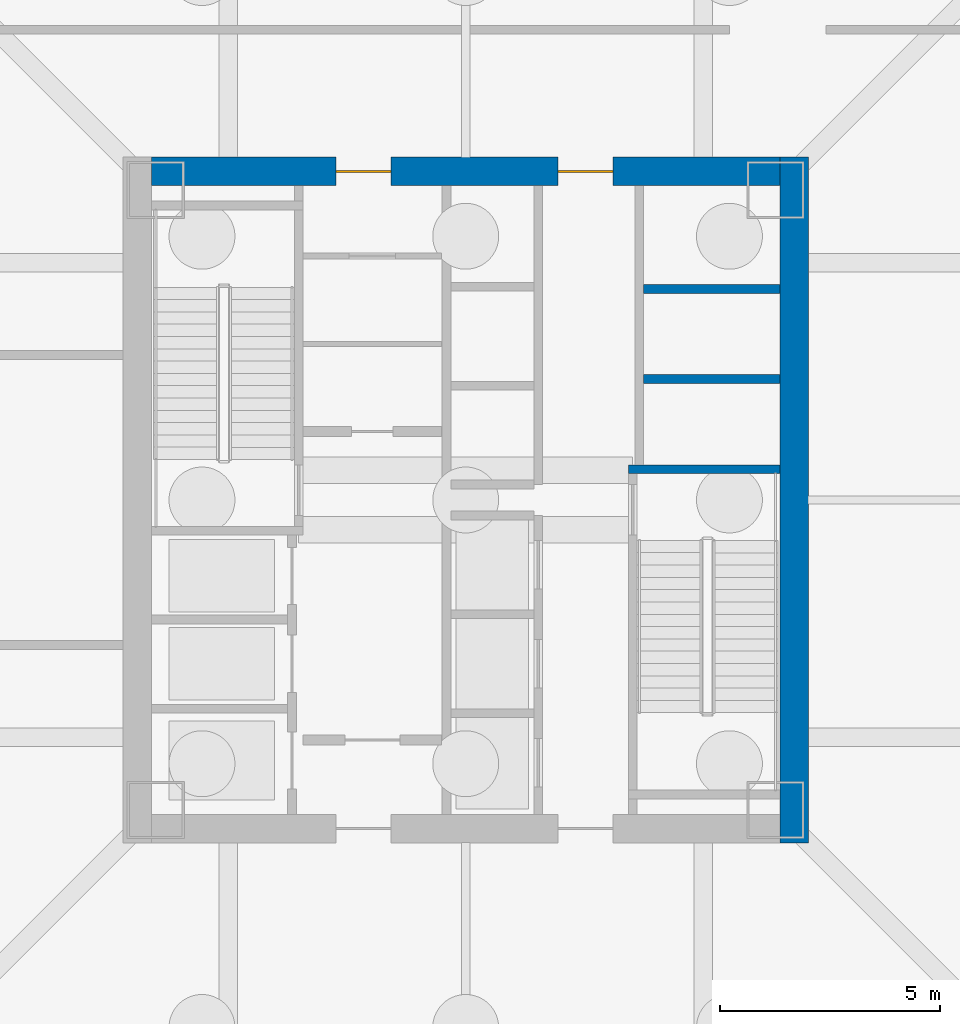
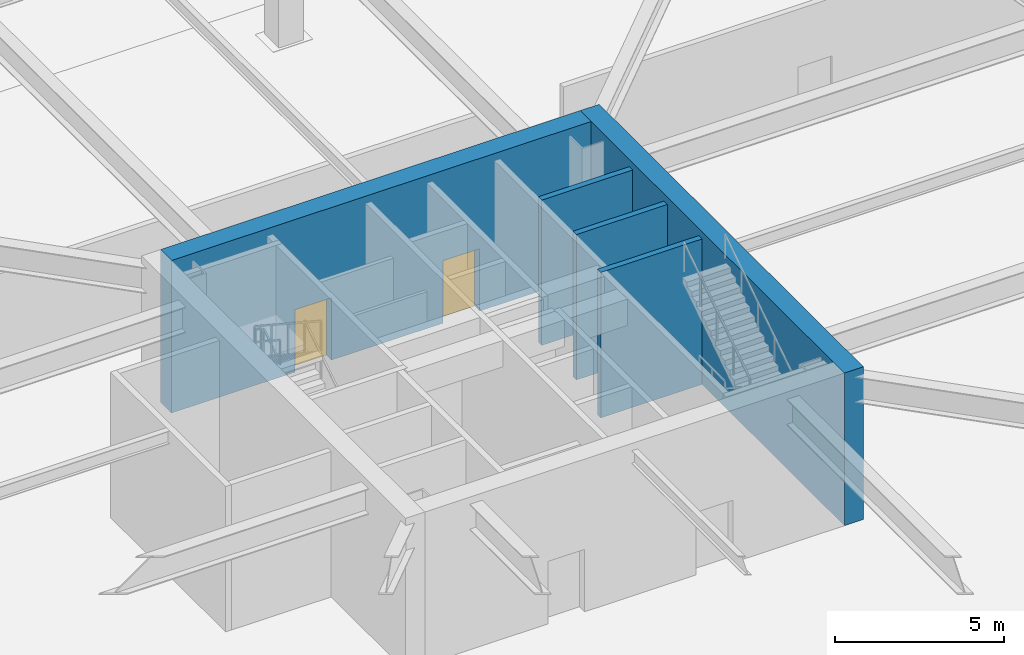
# One storey, part 9 of 19: 5 walls, 2 doors, 2 openings.
"""IFC4 building model written with IfcOpenShell, lengths in metres."""

from ifc_helpers import new_model, si_unit, direction, frame, frame_2d, origin, place, context, subcontext, project, spatial, rectangle, extrude, material, layer, layer_set, type_object, element, fill, save


model = new_model("IFC4")

# Units and contexts
model_context = context("Model", 3, precision=1e-05, world=origin(), true_north=direction((0.0, 1.0)))
body_context = subcontext(model_context, "Body", "Model", "MODEL_VIEW")
ifc_project = project(units=[si_unit("LENGTHUNIT", "METRE"), si_unit("AREAUNIT", "SQUARE_METRE"), si_unit("VOLUMEUNIT", "CUBIC_METRE"), si_unit("PLANEANGLEUNIT", "RADIAN"), si_unit("MASSUNIT", "GRAM", prefix="KILO")], contexts=[model_context])

# Site, building, storey
site_placement = place(None, origin())
site = spatial("IfcSite", under=ifc_project, at=site_placement, CompositionType="ELEMENT")
building_placement = place(site_placement, origin())
building = spatial("IfcBuilding", under=site, at=building_placement, Name="Tashvorn Skyway Center", CompositionType="ELEMENT")
storey_placement = place(building_placement, frame((0.0, 0.0, -11.0)))
storey = spatial("IfcBuildingStorey", under=building, at=storey_placement, Name="B2", CompositionType="ELEMENT", Elevation=-11.0)

# Wall
ifc_material_1 = material(Name="Concrete C60/75", Category="concrete")
ifc_layer_1 = layer(ifc_material_1, 0.64990234375)
ifc_layer_set_1 = layer_set([ifc_layer_1], Name="Concrete C60/75")
wall_type_1 = type_object("IfcWallType", Name="WALL-CORE-650", PredefinedType="SHEAR", material=ifc_layer_set_1)
wall_1_placement = place(storey_placement, frame((49.47509765625, 39.800048828125, 0.0), z_axis=(0.0, 0.0, 1.0), x_axis=(0.0, -1.0, 0.0)))
element("IfcWall", 1, at=wall_1_placement, inside=storey, type_object=wall_type_1, Name="Tower 1 B2 East Core Shear Wall", PredefinedType="SHEAR", context=body_context, shape_type="SweptSolid", body=[
    extrude(rectangle(XDim=15.60009765625, YDim=0.64990234375, at=frame_2d((7.800048828125, 0.0))), origin(), (0.0, 0.0, 1.0), 5.5),
])

# Wall, openings, doors
wall_2_placement = place(storey_placement, frame((34.85009765625, 39.47509765625, 0.0), z_axis=(0.0, 0.0, 1.0), x_axis=(1.0, 0.0, 0.0)))
wall_2 = element("IfcWall", 2, at=wall_2_placement, inside=storey, type_object=wall_type_1, Name="Tower 1 B2 North Core Shear Wall", PredefinedType="SHEAR", context=body_context, shape_type="SweptSolid", body=[
    extrude(rectangle(XDim=14.2998046875, YDim=0.64990234375, at=frame_2d((7.14990234375, 0.0))), origin(), (0.0, 0.0, 1.0), 5.5),
])
opening_1_placement = place(wall_2_placement, frame((4.199951171875, 0.0, 0.0)))
opening_1 = element("IfcOpeningElement", 3, at=opening_1_placement, cuts=wall_2, Name="Opening D-FFL-1250", PredefinedType="OPENING", context=body_context, shape_type="SweptSolid", body=[
    extrude(rectangle(XDim=1.25, YDim=2.25, at=frame_2d((0.625, 1.125))), frame((0.0, 0.3349609375, 0.0), z_axis=(0.0, -1.0, 0.0), x_axis=(1.0, 0.0, 0.0)), (0.0, 0.0, 1.0), 0.669921875),
])
opening_2_placement = place(wall_2_placement, frame((9.25, 0.0, 0.0)))
opening_2 = element("IfcOpeningElement", 4, at=opening_2_placement, cuts=wall_2, Name="Opening D-FFL-1250", PredefinedType="OPENING", context=body_context, shape_type="SweptSolid", body=[
    extrude(rectangle(XDim=1.25, YDim=2.25, at=frame_2d((0.625, 1.125))), frame((0.0, 0.3349609375, 0.0), z_axis=(0.0, -1.0, 0.0), x_axis=(1.0, 0.0, 0.0)), (0.0, 0.0, 1.0), 0.669921875),
])
ifc_material_2 = material(Name="Hollow galvanized steel fire door assembly", Category="steel")
door_type = type_object("IfcDoorType", Name="DOOR-FFL-1250", OperationType="NOTDEFINED", PredefinedType="DOOR", material=ifc_material_2)
door_1_placement = place(opening_1_placement, origin())
door_1 = element("IfcDoor", 5, at=door_1_placement, inside=storey, type_object=door_type, Name="Tower 1 B2 Core North Service Lobby Door", OperationType="SINGLE_SWING_LEFT", OverallHeight=2.25, OverallWidth=1.25, PredefinedType="DOOR", context=body_context, shape_type="SweptSolid", body=[
    extrude(rectangle(XDim=1.25, YDim=2.25, at=frame_2d((0.625, 1.125))), frame((0.0, 0.02490234375, 0.0), z_axis=(0.0, -1.0, 0.0), x_axis=(1.0, 0.0, 0.0)), (0.0, 0.0, 1.0), 0.050048828125),
])
fill(opening_1, door_1)
door_2_placement = place(opening_2_placement, origin())
door_2 = element("IfcDoor", 6, at=door_2_placement, inside=storey, type_object=door_type, Name="Tower 1 B2 Core North Lift Lobby Door", OperationType="SINGLE_SWING_RIGHT", OverallHeight=2.25, OverallWidth=1.25, PredefinedType="DOOR", context=body_context, shape_type="SweptSolid", body=[
    extrude(rectangle(XDim=1.25, YDim=2.25, at=frame_2d((0.625, 1.125))), frame((0.0, 0.02490234375, 0.0), z_axis=(0.0, -1.0, 0.0), x_axis=(1.0, 0.0, 0.0)), (0.0, 0.0, 1.0), 0.050048828125),
])
fill(opening_2, door_2)

# Walls
ifc_material_3 = material(Name="Concrete C40/50", Category="concrete")
ifc_layer_2 = layer(ifc_material_3, 0.199951171875)
ifc_layer_set_2 = layer_set([ifc_layer_2], Name="Concrete C40/50")
wall_type_2 = type_object("IfcWallType", Name="WALL-SHAFT-200", PredefinedType="SOLIDWALL", material=ifc_layer_set_2)
for number, where, z_axis, x_axis, name in (
    (7, (46.050048828125, 34.75, 0.0), (0.0, 0.0, 1.0), (1.0, 0.0, 0.0), "Tower 1 B2 High-Rise Shaft Divider"),
    (8, (46.050048828125, 36.800048828125, 0.0), (0.0, 0.0, 1.0), (1.0, 0.0, 0.0), "Tower 1 B2 High-Rise Shaft Divider"),
):
    element("IfcWall", number, at=place(storey_placement, frame(where, z_axis=z_axis, x_axis=x_axis)), inside=storey, type_object=wall_type_2, Name=name, PredefinedType="SOLIDWALL", context=body_context, shape_type="SweptSolid", body=[
        extrude(rectangle(XDim=3.099853515625, YDim=0.199951171875, at=frame_2d((1.5498046875, 0.0))), origin(), (0.0, 0.0, 1.0), 5.239990234375),
    ])
ifc_layer_3 = layer(ifc_material_3, 0.199951171875)
ifc_layer_set_3 = layer_set([ifc_layer_3], Name="Concrete C40/50")
wall_type_3 = type_object("IfcWallType", Name="WALL-STSHF-200", PredefinedType="SHEAR", material=ifc_layer_set_3)
wall_3_placement = place(storey_placement, frame((45.699951171875, 32.699951171875, 0.0), z_axis=(0.0, 0.0, 1.0), x_axis=(1.0, 0.0, 0.0)))
element("IfcWall", 9, at=wall_3_placement, inside=storey, type_object=wall_type_3, Name="Tower 1 B2 Stair 2 North Wall", PredefinedType="SHEAR", context=body_context, shape_type="SweptSolid", body=[
    extrude(rectangle(XDim=3.449951171875, YDim=0.199951171875, at=frame_2d((1.72509765625, 0.0))), origin(), (0.0, 0.0, 1.0), 5.239990234375),
])

save(model, "model.ifc")
